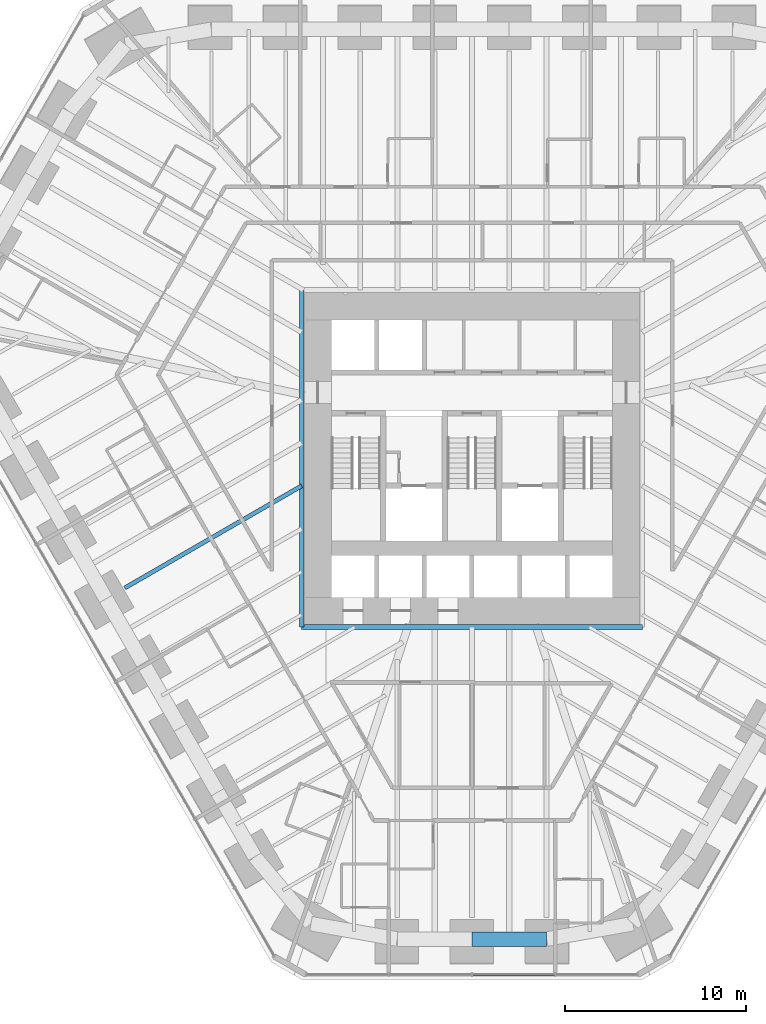
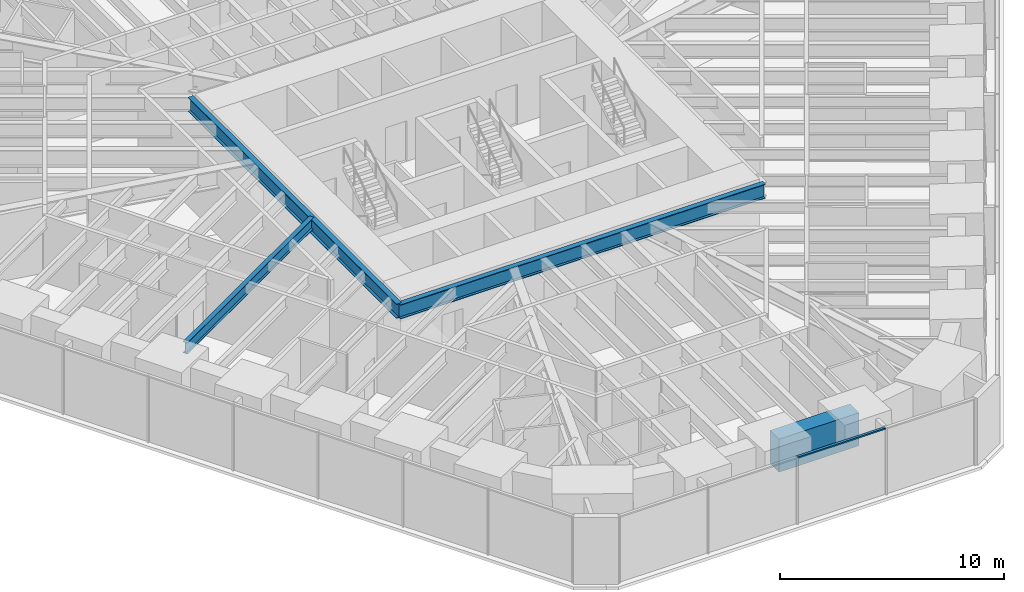
# One storey, part 4 of 17: 4 beams, 1 member, 1 element without a shape of its own.
"""IFC4 building model written with IfcOpenShell, lengths in metres."""

import ifcopenshell
import ifcopenshell.guid

model = None  # the IFC model being written
_history = None  # IfcOwnerHistory: only IFC2X3 demands one
_inside = {}  # id of a spatial element -> (the spatial element, [elements in it])
_under = {}  # id of a project, library or spatial element -> (it, [spatial elements below it])
_declared = {}  # id of a project -> (the project, [libraries it declares])
_typed = {}  # id of a type object -> (the type object, [elements of that type])
_made_of = {}  # id of a material, layer set ... -> (it, [elements and type objects made of it])


def new_model(schema):
    """Start an empty IFC model of exactly this schema.

    Asked for "IFC4X3", IfcOpenShell would pick the latest addendum, in which some entities
    have other attributes; the version numbers below select the first issue.
    IFC2X3 requires an IfcOwnerHistory on every rooted entity: one is made here for all.
    """
    global model, _history
    if schema == "IFC4X3":
        model = ifcopenshell.file(schema_version=(4, 3, 0, 0))
    else:
        model = ifcopenshell.file(schema=schema)
    _inside.clear()
    _under.clear()
    _declared.clear()
    _typed.clear()
    _made_of.clear()
    _history = None
    if model.schema == "IFC2X3":
        org = make("IfcOrganization", Name="unknown")
        user = make(
            "IfcPersonAndOrganization",
            ThePerson=make("IfcPerson", FamilyName="unknown"),
            TheOrganization=org,
        )
        app = make(
            "IfcApplication",
            ApplicationDeveloper=org,
            Version="unknown",
            ApplicationFullName="unknown",
            ApplicationIdentifier="unknown",
        )
        _history = make(
            "IfcOwnerHistory",
            OwningUser=user,
            OwningApplication=app,
            ChangeAction="ADDED",
            CreationDate=0,
        )
    return model


def make(cls, **values):
    """One entity of the class cls with the attributes given. An attribute that is None is left unset."""
    return model.create_entity(
        cls, **{name: value for name, value in values.items() if value is not None}
    )


def rooted(cls, **values):
    """An entity with a GlobalId (a new one), such as an element, a storey or a relation."""
    return make(cls, GlobalId=ifcopenshell.guid.new(), OwnerHistory=_history, **values)


def si_unit(unit_type, name, prefix=None):
    """IfcSIUnit, for example si_unit("LENGTHUNIT", "METRE", prefix="MILLI")."""
    return make("IfcSIUnit", UnitType=unit_type, Prefix=prefix, Name=name)


def assignment(units):
    """IfcUnitAssignment: the units of a project."""
    return None if units is None else make("IfcUnitAssignment", Units=units)


def point(xyz):
    """IfcCartesianPoint."""
    return None if xyz is None else make("IfcCartesianPoint", Coordinates=xyz)


def direction(xyz):
    """IfcDirection."""
    return None if xyz is None else make("IfcDirection", DirectionRatios=xyz)


def frame(location, z_axis=None, x_axis=None):
    """IfcAxis2Placement3D, a coordinate frame: its origin and axes. An axis left out is left unset."""
    return make(
        "IfcAxis2Placement3D",
        Location=point(location),
        Axis=direction(z_axis),
        RefDirection=direction(x_axis),
    )


def frame_2d(location, x_axis=None):
    """IfcAxis2Placement2D, a coordinate frame in the plane: its origin and x axis."""
    return make(
        "IfcAxis2Placement2D", Location=point(location), RefDirection=direction(x_axis)
    )


def origin():
    """The frame at (0, 0, 0) with its axes left unset."""
    return frame((0.0, 0.0, 0.0))


def origin_2d():
    """The frame at (0, 0) in the plane with its x axis left unset."""
    return frame_2d((0.0, 0.0))


def place(relative_to, where):
    """IfcLocalPlacement: puts the frame where relative to a parent placement (None: the world)."""
    return make(
        "IfcLocalPlacement", PlacementRelTo=relative_to, RelativePlacement=where
    )


def context(
    kind, dimensions, precision=None, world=None, true_north=None, identifier=None
):
    """IfcGeometricRepresentationContext, for example the 3D "Model" context."""
    return make(
        "IfcGeometricRepresentationContext",
        ContextIdentifier=identifier,
        ContextType=kind,
        CoordinateSpaceDimension=dimensions,
        Precision=precision,
        WorldCoordinateSystem=world,
        TrueNorth=true_north,
    )


def subcontext(parent, identifier, kind, view, scale=None):
    """IfcGeometricRepresentationSubContext, for example "Body" below "Model"."""
    return make(
        "IfcGeometricRepresentationSubContext",
        ContextIdentifier=identifier,
        ContextType=kind,
        ParentContext=parent,
        TargetScale=scale,
        TargetView=view,
    )


def project(units=None, contexts=None):
    """IfcProject with its units and contexts."""
    return rooted(
        "IfcProject",
        Name="project",
        RepresentationContexts=contexts,
        UnitsInContext=assignment(units),
    )


def spatial(cls, under=None, at=None, **own):
    """A site, building, storey or space (cls), placed at a placement, below another one or the project."""
    s = rooted(cls, ObjectPlacement=at, **own)
    if under is not None:
        _under.setdefault(under.id(), (under, []))[1].append(s)
    return s


def profile(cls, at=None, kind="AREA", **sizes):
    """A parametric profile (cls). Its sizes go by their IFC names, for example OverallWidth=200.0."""
    return make(cls, ProfileType=kind, Position=at, **sizes)


def rectangle(**sizes):
    """IfcRectangleProfileDef."""
    return profile("IfcRectangleProfileDef", **sizes)


def i_section(**sizes):
    """IfcIShapeProfileDef."""
    return profile("IfcIShapeProfileDef", **sizes)


def extrude(swept, where, along, depth):
    """IfcExtrudedAreaSolid: the profile swept, set in the frame where, extruded along a direction by depth."""
    return make(
        "IfcExtrudedAreaSolid",
        SweptArea=swept,
        Position=where,
        ExtrudedDirection=direction(along),
        Depth=depth,
    )


def shape(context_of_items, identifier, shape_type, items):
    """IfcShapeRepresentation: the items that make up one representation, for example the "Body"."""
    return make(
        "IfcShapeRepresentation",
        ContextOfItems=context_of_items,
        RepresentationIdentifier=identifier,
        RepresentationType=shape_type,
        Items=items,
    )


def material(Name=None, Category=None):
    """IfcMaterial."""
    return make("IfcMaterial", Name=Name, Category=Category)


def material_profile(
    of_material, cross_section, Name=None, Category=None, Priority=None
):
    """IfcMaterialProfile: a cross section and its material."""
    return make(
        "IfcMaterialProfile",
        Name=Name,
        Material=of_material,
        Profile=cross_section,
        Priority=Priority,
        Category=Category,
    )


def profile_set(profiles, Name=None, composite=None):
    """IfcMaterialProfileSet."""
    return make(
        "IfcMaterialProfileSet",
        Name=Name,
        MaterialProfiles=profiles,
        CompositeProfile=composite,
    )


def made_of(thing, what):
    """Note that an element or type object is made of a material, layer set ...; save() writes the relation."""
    if what is not None:
        _made_of.setdefault(what.id(), (what, []))[1].append(thing)
    return thing


def type_object(cls, material=None, **own):
    """A type object (cls), such as IfcWallType, which elements share."""
    return made_of(rooted(cls, **own), material)


def element(
    cls,
    number,
    at=None,
    inside=None,
    cuts=None,
    type_object=None,
    material=None,
    context=None,
    identifier="Body",
    shape_type=None,
    held_by="IfcProductDefinitionShape",
    body=None,
    shapes=None,
    **own,
):
    """One element of the class cls, such as IfcWall. Its Tag is "e" and its number.

    at: its placement. inside: the storey or other place that contains it. cuts: it is an
    opening in that element (IfcRelVoidsElement). A single representation is given by context,
    identifier, shape_type and body (its items); several are given by shapes. held_by: the class
    of the entity that holds the representations. save() writes the other relations.
    """
    e = rooted(cls, Tag="e%d" % number, ObjectPlacement=at, **own)
    if body is not None:
        shapes = [shape(context, identifier, shape_type, body)]
    if shapes is not None:
        e.Representation = make(held_by, Representations=shapes)
    if inside is not None:
        _inside.setdefault(inside.id(), (inside, []))[1].append(e)
    if cuts is not None:
        rooted(
            "IfcRelVoidsElement", RelatingBuildingElement=cuts, RelatedOpeningElement=e
        )
    if type_object is not None:
        _typed.setdefault(type_object.id(), (type_object, []))[1].append(e)
    return made_of(e, material)


def aggregate(whole, parts):
    """IfcRelAggregates: a whole, such as a stair, and the parts it consists of."""
    return rooted("IfcRelAggregates", RelatingObject=whole, RelatedObjects=parts)


def save(model, path):
    """Write the relations noted so far, then the file.

    IfcRelAggregates (storeys below a building ...), IfcRelContainedInSpatialStructure (elements
    in a storey), IfcRelDefinesByType, IfcRelAssociatesMaterial and IfcRelDeclares: one each for
    every whole, place, type object, material and project.
    """
    for whole, parts in _under.values():
        aggregate(whole, parts)
    for where, things in _inside.values():
        rooted(
            "IfcRelContainedInSpatialStructure",
            RelatedElements=things,
            RelatingStructure=where,
        )
    for kind, things in _typed.values():
        rooted("IfcRelDefinesByType", RelatedObjects=things, RelatingType=kind)
    for what, things in _made_of.values():
        rooted("IfcRelAssociatesMaterial", RelatedObjects=things, RelatingMaterial=what)
    for by, libraries in _declared.values():
        rooted("IfcRelDeclares", RelatingContext=by, RelatedDefinitions=libraries)
    model.write(path)


model = new_model("IFC4")

# Units and contexts
model_context = context("Model", 3, precision=1e-05, world=origin(), true_north=direction((0.0, 1.0)))
body_context = subcontext(model_context, "Body", "Model", "MODEL_VIEW")
ifc_project = project(units=[si_unit("LENGTHUNIT", "METRE"), si_unit("AREAUNIT", "SQUARE_METRE"), si_unit("VOLUMEUNIT", "CUBIC_METRE"), si_unit("PLANEANGLEUNIT", "RADIAN"), si_unit("MASSUNIT", "GRAM", prefix="KILO")], contexts=[model_context])

# Site, building, storey
site_placement = place(None, origin())
site = spatial("IfcSite", under=ifc_project, at=site_placement, CompositionType="ELEMENT")
building_placement = place(site_placement, origin())
building = spatial("IfcBuilding", under=site, at=building_placement, Name="Sandreach Pilgrim Tower", CompositionType="ELEMENT")
storey_placement = place(building_placement, frame((0.0, 0.0, 68.60009765625)))
storey = spatial("IfcBuildingStorey", under=building, at=storey_placement, Name="L16", CompositionType="ELEMENT", Elevation=68.60009765625)

# Curtain wall, member
ifc_material_1 = material(Name="Aluminium framed curtain wall", Category="aluminium")
curtain_wall_type = type_object("IfcCurtainWallType", Name="Hostel tower curtain wall", PredefinedType="NOTDEFINED", material=ifc_material_1)
curtain_wall_placement = place(storey_placement, origin())
curtain_wall = element("IfcCurtainWall", 1, at=curtain_wall_placement, inside=storey, type_object=curtain_wall_type, Name="CW-1 L16 S", PredefinedType="NOTDEFINED")
ifc_material_2 = material(Name="Aluminium extrusion", Category="aluminium")
ifc_material_profile_1 = material_profile(ifc_material_2, rectangle(XDim=0.139892578125, YDim=0.070068359375, at=origin_2d()), Name="CW-1T 140X70")
ifc_profile_set_1 = profile_set([ifc_material_profile_1], Name="Aluminium extrusion")
member_type = type_object("IfcMemberType", Name="CW-1 transom", PredefinedType="USERDEFINED", material=ifc_profile_set_1)
member_placement = place(storey_placement, frame((4.553466796875, -30.010986328125, 3.60498046875), z_axis=(-1.0, 0.0, 0.0), x_axis=(0.0, -1.0, 0.0)))
member = element("IfcMember", 2, at=member_placement, type_object=member_type, Name="CW-1 head transom 2", ObjectType="TRANSOM", PredefinedType="USERDEFINED", context=body_context, shape_type="SweptSolid", body=[
    extrude(rectangle(XDim=0.139892578125, YDim=0.070068359375, at=origin_2d()), origin(), (0.0, 0.0, 1.0), 4.52099609375),
])
aggregate(curtain_wall, [member])

# Beams
ifc_material_3 = material(Name="Steel ASTM A992 Grade 50", Category="steel")
ifc_material_profile_2 = material_profile(ifc_material_3, i_section(OverallWidth=0.2666015625, OverallDepth=0.77978515625, WebThickness=0.0166015625, FlangeThickness=0.030029296875, at=origin_2d()), Name="W30X148")
ifc_profile_set_2 = profile_set([ifc_material_profile_2], Name="Steel ASTM A992 Grade 50")
beam_type_1 = type_object("IfcBeamType", Name="Core edge beam W30X148", PredefinedType="BEAM", material=ifc_profile_set_2)
beam_1_placement = place(storey_placement, frame((9.393310546875, -10.84326171875, 3.25), z_axis=(-1.0, 0.0, 0.0), x_axis=(0.0, -1.0, 0.0)))
element("IfcBeam", 3, at=beam_1_placement, inside=storey, type_object=beam_type_1, Name="BM L16 CES", PredefinedType="BEAM", context=body_context, shape_type="SweptSolid", body=[
    extrude(i_section(OverallWidth=0.2666015625, OverallDepth=0.77978515625, WebThickness=0.0166015625, FlangeThickness=0.030029296875, at=origin_2d()), origin(), (0.0, 0.0, 1.0), 18.78662109375),
])
beam_2_placement = place(storey_placement, frame((-9.393310546875, -10.84326171875, 3.25), z_axis=(0.0, 1.0, 0.0), x_axis=(-1.0, 0.0, 0.0)))
element("IfcBeam", 4, at=beam_2_placement, inside=storey, type_object=beam_type_1, Name="BM L16 CEW", PredefinedType="BEAM", context=body_context, shape_type="SweptSolid", body=[
    extrude(i_section(OverallWidth=0.2666015625, OverallDepth=0.77978515625, WebThickness=0.0166015625, FlangeThickness=0.030029296875, at=origin_2d()), origin(), (0.0, 0.0, 1.0), 18.586669921875),
])
ifc_material_4 = material(Name="Steel ASTM A992 Grade 50", Category="steel")
ifc_material_profile_3 = material_profile(ifc_material_4, i_section(OverallWidth=0.23046875, OverallDepth=0.6171875, WebThickness=0.01318359375, FlangeThickness=0.022216796875, at=origin_2d()), Name="W24X94")
ifc_profile_set_3 = profile_set([ifc_material_profile_3], Name="Steel ASTM A992 Grade 50")
beam_type_2 = type_object("IfcBeamType", Name="Floor beam W24X94", PredefinedType="BEAM", material=ifc_profile_set_3)
beam_3_placement = place(storey_placement, frame((-19.152587890625, -8.68701171875, 3.331298828125), z_axis=(0.8660254006, 0.500000005515, 0.0), x_axis=(-0.500000005515, 0.8660254006, 0.0)))
element("IfcBeam", 5, at=beam_3_placement, inside=storey, type_object=beam_type_2, Name="BM L16 F31", PredefinedType="BEAM", context=body_context, shape_type="SweptSolid", body=[
    extrude(i_section(OverallWidth=0.23046875, OverallDepth=0.6171875, WebThickness=0.01318359375, FlangeThickness=0.022216796875, at=origin_2d()), origin(), (0.0, 0.0, 1.0), 11.26904296875),
])
ifc_material_5 = material(Name="Concrete 10000 psi", Category="concrete")
ifc_material_profile_4 = material_profile(ifc_material_5, rectangle(XDim=0.800048828125, YDim=1.800048828125, at=origin_2d()), Name="RC800X1800")
ifc_profile_set_4 = profile_set([ifc_material_profile_4], Name="Concrete 10000 psi")
beam_type_3 = type_object("IfcBeamType", Name="Spandrel beam RC800X1800", PredefinedType="SPANDREL", material=ifc_profile_set_4)
beam_4_placement = place(storey_placement, frame((4.119873046875, -28.052734375, 2.739990234375), z_axis=(-1.0, 0.0, 0.0), x_axis=(0.0, -1.0, 0.0)))
element("IfcBeam", 6, at=beam_4_placement, inside=storey, type_object=beam_type_3, Name="BM L16 SP23", PredefinedType="SPANDREL", context=body_context, shape_type="SweptSolid", body=[
    extrude(rectangle(XDim=0.800048828125, YDim=1.800048828125, at=origin_2d()), origin(), (0.0, 0.0, 1.0), 4.119873046875),
])

save(model, "model.ifc")
